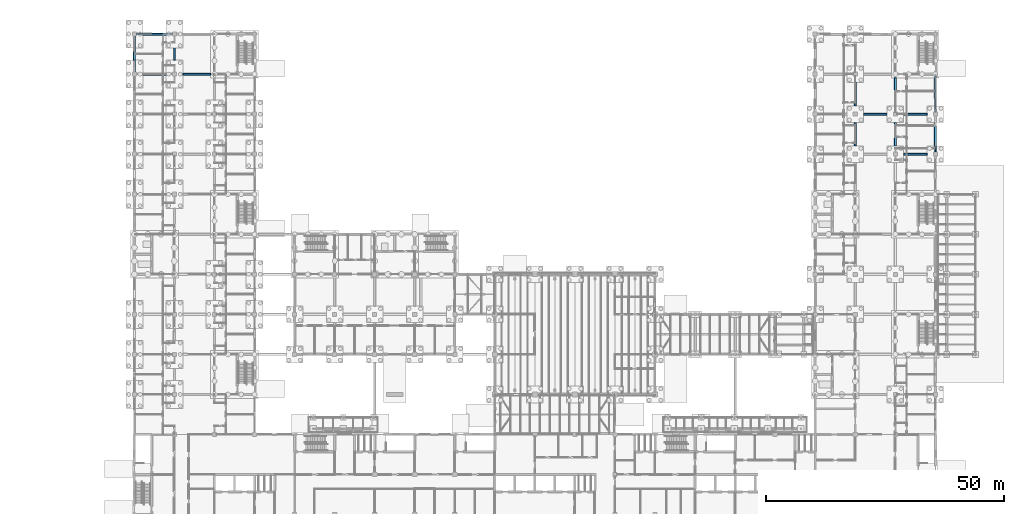
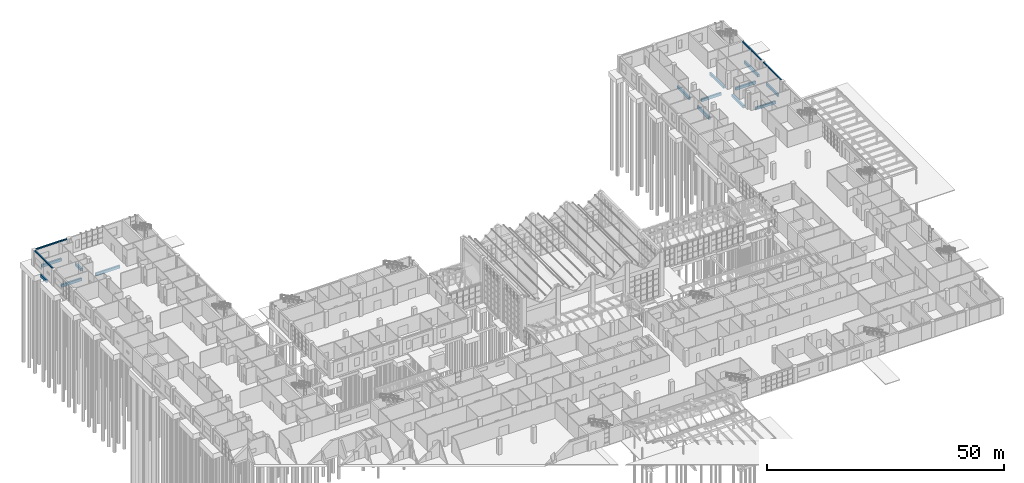
# One storey, part 73 of 138: 18 beams.
"""IFC4 building model written with IfcOpenShell, lengths in metres."""

from ifc_helpers import new_model, si_unit, direction, frame, origin, origin_2d, place, context, subcontext, project, spatial, rectangle, extrude, material, material_profile, profile_set, type_object, element, save


model = new_model("IFC4")

# Units and contexts
model_context = context("Model", 3, precision=1e-05, world=origin(), true_north=direction((0.0, 1.0)))
body_context = subcontext(model_context, "Body", "Model", "MODEL_VIEW")
ifc_project = project(units=[si_unit("LENGTHUNIT", "METRE"), si_unit("AREAUNIT", "SQUARE_METRE"), si_unit("VOLUMEUNIT", "CUBIC_METRE"), si_unit("PLANEANGLEUNIT", "RADIAN"), si_unit("MASSUNIT", "GRAM", prefix="KILO")], contexts=[model_context])

# Site, building, storey
site_placement = place(None, origin())
site = spatial("IfcSite", under=ifc_project, at=site_placement, CompositionType="ELEMENT")
building_placement = place(site_placement, origin())
building = spatial("IfcBuilding", under=site, at=building_placement, Name="Yavir Park General Hospital", CompositionType="ELEMENT")
storey_placement = place(building_placement, origin())
storey = spatial("IfcBuildingStorey", under=building, at=storey_placement, Name="L00", CompositionType="ELEMENT", Elevation=0.0)

# Beams
ifc_material_1 = material(Name="Concrete C35/45", Category="concrete")
ifc_material_profile_1 = material_profile(ifc_material_1, rectangle(XDim=0.300048828125, YDim=0.300048828125, at=origin_2d()), Name="RC300x300")
ifc_profile_set_1 = profile_set([ifc_material_profile_1], Name="Concrete C35/45")
beam_type_1 = type_object("IfcBeamType", Name="RC BEAM 300x300 edge beam", PredefinedType="BEAM", material=ifc_profile_set_1)
for number, where, z_axis, x_axis, name in (
    (1, (0.425048828125, 117.60009765625, 3.989990234375), (1.0, 0.0, 0.0), (0.0, 1.0, 0.0), "B:EDGE:L00:024"),
    (2, (0.0, 109.625, 3.989990234375), (0.0, 1.0, 0.0), (-1.0, 0.0, 0.0), "B:EDGE:L00:034"),
    (3, (168.0, 92.824951171875, 3.989990234375), (0.0, 1.0, 0.0), (-1.0, 0.0, 0.0), "B:EDGE:L00:060"),
):
    element("IfcBeam", number, at=place(storey_placement, frame(where, z_axis=z_axis, x_axis=x_axis)), inside=storey, type_object=beam_type_1, Name=name, PredefinedType="BEAM", context=body_context, shape_type="SweptSolid", body=[
        extrude(rectangle(XDim=0.300048828125, YDim=0.300048828125, at=origin_2d()), origin(), (0.0, 0.0, 1.0), 7.550048828125),
    ])
beam_1_placement = place(storey_placement, frame((168.0, 101.22509765625, 3.989990234375), z_axis=(0.0, 1.0, 0.0), x_axis=(-1.0, 0.0, 0.0)))
element("IfcBeam", 4, at=beam_1_placement, inside=storey, type_object=beam_type_1, Name="B:EDGE:L00:061", PredefinedType="BEAM", context=body_context, shape_type="SweptSolid", body=[
    extrude(rectangle(XDim=0.300048828125, YDim=0.300048828125, at=origin_2d()), origin(), (0.0, 0.0, 1.0), 7.974853515625),
])
ifc_material_2 = material(Name="Concrete C35/45", Category="concrete")
ifc_material_profile_2 = material_profile(ifc_material_2, rectangle(XDim=0.39990234375, YDim=0.699951171875, at=origin_2d()), Name="RC400x700")
ifc_profile_set_2 = profile_set([ifc_material_profile_2], Name="Concrete C35/45")
beam_type_2 = type_object("IfcBeamType", Name="RC BEAM 400x700 ground beam", PredefinedType="BEAM", material=ifc_profile_set_2)
beam_2_placement = place(storey_placement, frame((152.949951171875, 100.800048828125, -0.800048828125), z_axis=(1.0, 0.0, 0.0), x_axis=(0.0, 1.0, 0.0)))
element("IfcBeam", 5, at=beam_2_placement, inside=storey, type_object=beam_type_2, Name="B:GND:L00:19N:L00:20N", PredefinedType="BEAM", context=body_context, shape_type="SweptSolid", body=[
    extrude(rectangle(XDim=0.39990234375, YDim=0.699951171875, at=origin_2d()), origin(), (0.0, 0.0, 1.0), 4.900146484375),
])
for number, where, z_axis, x_axis, name in (
    (6, (1.75, 109.199951171875, -0.800048828125), (1.0, 0.0, 0.0), (0.0, 1.0, 0.0), "B:GND:L00:1P:L00:2P"),
    (7, (1.75, 117.60009765625, -0.800048828125), (1.0, 0.0, 0.0), (0.0, 1.0, 0.0), "B:GND:L00:1Q:L00:2Q"),
    (8, (161.35009765625, 92.39990234375, -0.800048828125), (1.0, 0.0, 0.0), (0.0, 1.0, 0.0), "B:GND:L00:20M:L00:21M"),
    (9, (161.35009765625, 100.800048828125, -0.800048828125), (1.0, 0.0, 0.0), (0.0, 1.0, 0.0), "B:GND:L00:20N:L00:21N"),
):
    element("IfcBeam", number, at=place(storey_placement, frame(where, z_axis=z_axis, x_axis=x_axis)), inside=storey, type_object=beam_type_2, Name=name, PredefinedType="BEAM", context=body_context, shape_type="SweptSolid", body=[
        extrude(rectangle(XDim=0.39990234375, YDim=0.699951171875, at=origin_2d()), origin(), (0.0, 0.0, 1.0), 4.89990234375),
    ])
beam_3_placement = place(storey_placement, frame((10.14990234375, 109.199951171875, -0.800048828125), z_axis=(1.0, 0.0, 0.0), x_axis=(0.0, 1.0, 0.0)))
element("IfcBeam", 10, at=beam_3_placement, inside=storey, type_object=beam_type_2, Name="B:GND:L00:2P:L00:SW3", PredefinedType="BEAM", context=body_context, shape_type="SweptSolid", body=[
    extrude(rectangle(XDim=0.39990234375, YDim=0.699951171875, at=origin_2d()), origin(), (0.0, 0.0, 1.0), 5.85009765625),
])
beam_4_placement = place(storey_placement, frame((151.199951171875, 94.14990234375, -0.800048828125), z_axis=(0.0, 1.0, 0.0), x_axis=(-1.0, 0.0, 0.0)))
element("IfcBeam", 11, at=beam_4_placement, inside=storey, type_object=beam_type_2, Name="B:GND:L00:19M:L00:19N", PredefinedType="BEAM", context=body_context, shape_type="SweptSolid", body=[
    extrude(rectangle(XDim=0.39990234375, YDim=0.699951171875, at=origin_2d()), origin(), (0.0, 0.0, 1.0), 4.900146484375),
])
beam_5_placement = place(storey_placement, frame((151.199951171875, 102.550048828125, -0.800048828125), z_axis=(0.0, 1.0, 0.0), x_axis=(-1.0, 0.0, 0.0)))
element("IfcBeam", 12, at=beam_5_placement, inside=storey, type_object=beam_type_2, Name="B:GND:L00:19N:L00:19P", PredefinedType="BEAM", context=body_context, shape_type="SweptSolid", body=[
    extrude(rectangle(XDim=0.39990234375, YDim=0.699951171875, at=origin_2d()), origin(), (0.0, 0.0, 1.0), 4.89990234375),
])
beam_6_placement = place(storey_placement, frame((0.0, 112.14990234375, -0.800048828125), z_axis=(0.0, 1.0, 0.0), x_axis=(-1.0, 0.0, 0.0)))
element("IfcBeam", 13, at=beam_6_placement, inside=storey, type_object=beam_type_2, Name="B:GND:L00:1P:L00:1Q", PredefinedType="BEAM", context=body_context, shape_type="SweptSolid", body=[
    extrude(rectangle(XDim=0.39990234375, YDim=0.699951171875, at=origin_2d()), origin(), (0.0, 0.0, 1.0), 2.5),
])
beam_7_placement = place(storey_placement, frame((159.60009765625, 94.14990234375, -0.800048828125), z_axis=(0.0, 1.0, 0.0), x_axis=(-1.0, 0.0, 0.0)))
element("IfcBeam", 14, at=beam_7_placement, inside=storey, type_object=beam_type_2, Name="B:GND:L00:20M:L00:20N", PredefinedType="BEAM", context=body_context, shape_type="SweptSolid", body=[
    extrude(rectangle(XDim=0.39990234375, YDim=0.699951171875, at=origin_2d()), origin(), (0.0, 0.0, 1.0), 4.900146484375),
])
beam_8_placement = place(storey_placement, frame((159.60009765625, 102.550048828125, -0.800048828125), z_axis=(0.0, 1.0, 0.0), x_axis=(-1.0, 0.0, 0.0)))
element("IfcBeam", 15, at=beam_8_placement, inside=storey, type_object=beam_type_2, Name="B:GND:L00:20N:L00:ES3", PredefinedType="BEAM", context=body_context, shape_type="SweptSolid", body=[
    extrude(rectangle(XDim=0.39990234375, YDim=0.699951171875, at=origin_2d()), origin(), (0.0, 0.0, 1.0), 5.849853515625),
])
beam_9_placement = place(storey_placement, frame((168.0, 94.14990234375, -0.800048828125), z_axis=(0.0, 1.0, 0.0), x_axis=(-1.0, 0.0, 0.0)))
element("IfcBeam", 16, at=beam_9_placement, inside=storey, type_object=beam_type_2, Name="B:GND:L00:21M:L00:21N", PredefinedType="BEAM", context=body_context, shape_type="SweptSolid", body=[
    extrude(rectangle(XDim=0.39990234375, YDim=0.699951171875, at=origin_2d()), origin(), (0.0, 0.0, 1.0), 4.900146484375),
])
beam_10_placement = place(storey_placement, frame((168.0, 102.550048828125, -0.800048828125), z_axis=(0.0, 1.0, 0.0), x_axis=(-1.0, 0.0, 0.0)))
element("IfcBeam", 17, at=beam_10_placement, inside=storey, type_object=beam_type_2, Name="B:GND:L00:21N:L00:ES3", PredefinedType="BEAM", context=body_context, shape_type="SweptSolid", body=[
    extrude(rectangle(XDim=0.39990234375, YDim=0.699951171875, at=origin_2d()), origin(), (0.0, 0.0, 1.0), 5.849853515625),
])
beam_11_placement = place(storey_placement, frame((8.39990234375, 112.14990234375, -0.800048828125), z_axis=(0.0, 1.0, 0.0), x_axis=(-1.0, 0.0, 0.0)))
element("IfcBeam", 18, at=beam_11_placement, inside=storey, type_object=beam_type_2, Name="B:GND:L00:2P:L00:2Q", PredefinedType="BEAM", context=body_context, shape_type="SweptSolid", body=[
    extrude(rectangle(XDim=0.39990234375, YDim=0.699951171875, at=origin_2d()), origin(), (0.0, 0.0, 1.0), 2.5),
])

save(model, "model.ifc")
